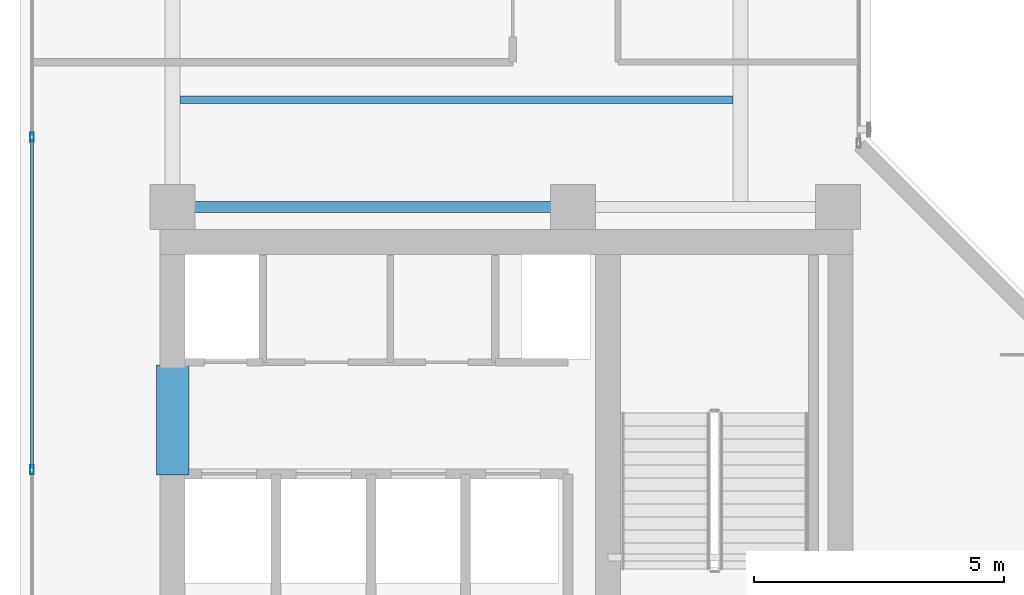
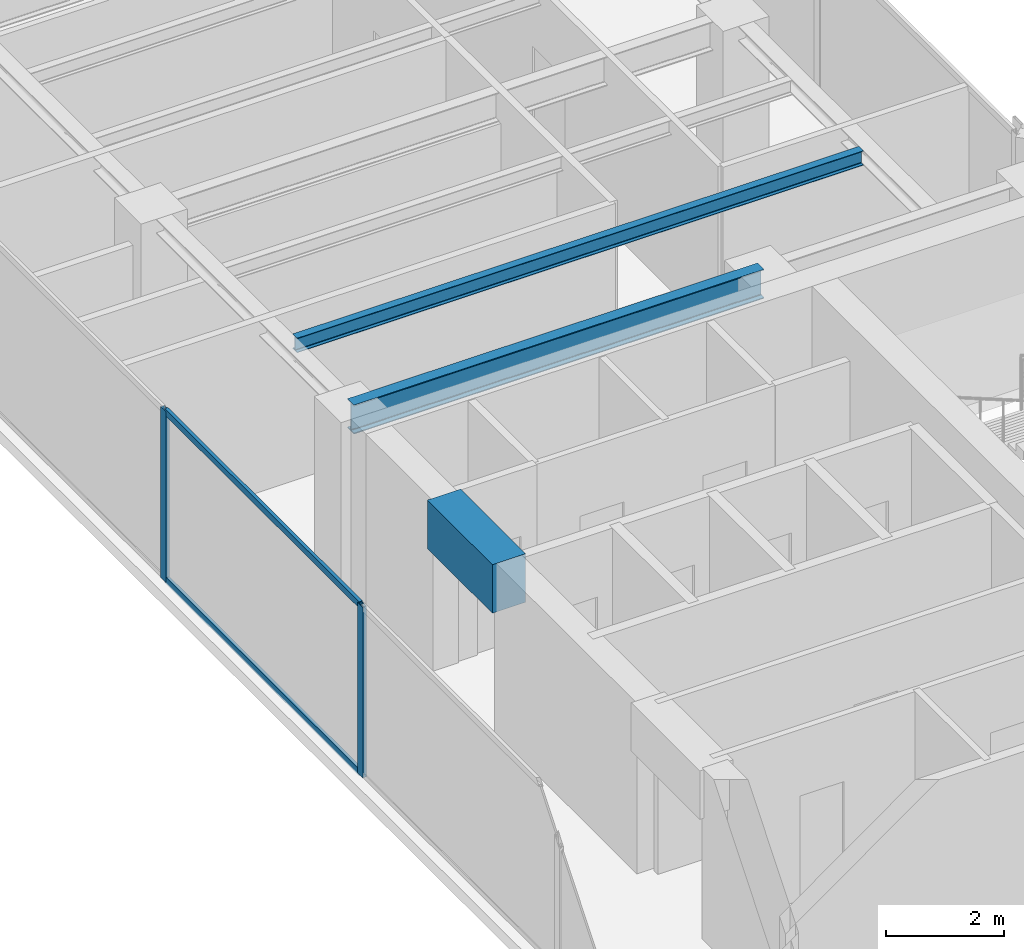
# One storey, part 9 of 32: 4 members, 3 beams, 1 element without a shape of its own.
"""IFC4 building model written with IfcOpenShell, lengths in metres."""

from ifc_helpers import new_model, si_unit, direction, frame, origin, origin_with_axes, origin_2d, place, context, subcontext, project, spatial, rectangle, hollow_rectangle, i_section, extrude, source, transform, mapped, material, layer, layer_set, material_profile, profile_set, type_object, element, aggregate, save


model = new_model("IFC4")

# Units and contexts
model_context = context("Model", 3, precision=1e-05, world=origin(), true_north=direction((0.0, 1.0)))
body_context = subcontext(model_context, "Body", "Model", "MODEL_VIEW")
ifc_project = project(units=[si_unit("LENGTHUNIT", "METRE"), si_unit("AREAUNIT", "SQUARE_METRE"), si_unit("VOLUMEUNIT", "CUBIC_METRE"), si_unit("PLANEANGLEUNIT", "RADIAN"), si_unit("MASSUNIT", "GRAM", prefix="KILO")], contexts=[model_context])

# Site, building, storey
site_placement = place(None, origin())
site = spatial("IfcSite", under=ifc_project, at=site_placement, CompositionType="ELEMENT")
building_placement = place(site_placement, origin())
building = spatial("IfcBuilding", under=site, at=building_placement, Name="Kolvaren Waterfront Exchange", CompositionType="ELEMENT")
storey_placement = place(building_placement, frame((0.0, 0.0, 348.10009765625)))
storey = spatial("IfcBuildingStorey", under=building, at=storey_placement, Name="L89", CompositionType="ELEMENT", Elevation=348.10009765625)

# Beams
ifc_material_1 = material(Name="Steel S355", Category="steel")
ifc_material_profile_1 = material_profile(ifc_material_1, i_section(OverallWidth=0.14990234375, OverallDepth=0.300048828125, WebThickness=0.007080078125, FlangeThickness=0.0107421875, FilletRadius=0.014892578125, at=origin_2d()), Name="IPE300")
ifc_profile_set_1 = profile_set([ifc_material_profile_1], Name="Steel S355")
beam_type_1 = type_object("IfcBeamType", Name="STR-BM-IPE300", PredefinedType="JOIST", material=ifc_profile_set_1)
beam_1_placement = place(storey_placement, frame((7.60205078125, 26.60009765625, 3.369873046875), z_axis=(1.0, 0.0, 0.0), x_axis=(0.0, 1.0, 0.0)))
element("IfcBeam", 1, at=beam_1_placement, inside=storey, type_object=beam_type_1, Name="L89 north-arm composite joist 1", PredefinedType="JOIST", context=body_context, shape_type="SweptSolid", body=[
    extrude(i_section(OverallWidth=0.14990234375, OverallDepth=0.300048828125, WebThickness=0.007080078125, FlangeThickness=0.0107421875, FilletRadius=0.014892578125, at=origin_2d()), origin(), (0.0, 0.0, 1.0), 11.0458984375),
])
ifc_material_profile_2 = material_profile(ifc_material_1, i_section(OverallWidth=0.219970703125, OverallDepth=0.60009765625, WebThickness=0.011962890625, FlangeThickness=0.01904296875, FilletRadius=0.02392578125, at=origin_2d()), Name="IPE600")
ifc_profile_set_2 = profile_set([ifc_material_profile_2], Name="Steel S355")
beam_type_2 = type_object("IfcBeamType", Name="STR-BM-IPE600", PredefinedType="BEAM", material=ifc_profile_set_2)
beam_2_placement = place(storey_placement, frame((7.449951171875, 24.449951171875, 3.219970703125), z_axis=(1.0, 0.0, 0.0), x_axis=(0.0, 1.0, 0.0)))
element("IfcBeam", 2, at=beam_2_placement, inside=storey, type_object=beam_type_2, Name="L89 north-arm girder 1A", PredefinedType="BEAM", context=body_context, shape_type="SweptSolid", body=[
    extrude(i_section(OverallWidth=0.219970703125, OverallDepth=0.60009765625, WebThickness=0.011962890625, FlangeThickness=0.01904296875, FilletRadius=0.02392578125, at=origin_2d()), origin(), (0.0, 0.0, 1.0), 8.0),
])
ifc_material_2 = material(Name="Concrete C60/75", Category="concrete")
ifc_material_profile_3 = material_profile(ifc_material_2, rectangle(XDim=0.64990234375, YDim=1.0, at=origin_2d()), Name="RC-CB-1000x650")
ifc_profile_set_3 = profile_set([ifc_material_profile_3], Name="Concrete C60/75")
beam_type_3 = type_object("IfcBeamType", Name="STR-CB-1000", PredefinedType="SPANDREL", material=ifc_profile_set_3)
beam_3_placement = place(storey_placement, frame((7.449951171875, 19.10009765625, 3.02001953125), z_axis=(0.0, 1.0, 0.0), x_axis=(-1.0, 0.0, 0.0)))
element("IfcBeam", 3, at=beam_3_placement, inside=storey, type_object=beam_type_3, Name="L89 core coupling beam 5", PredefinedType="SPANDREL", context=body_context, shape_type="SweptSolid", body=[
    extrude(rectangle(XDim=0.64990234375, YDim=1.0, at=origin_2d()), origin(), (0.0, 0.0, 1.0), 2.199951171875),
])

# Curtain wall, members
ifc_material_3 = material(Name="Anodised bronze aluminium 6063-T6", Category="aluminium")
ifc_layer = layer(ifc_material_3, 0.219970703125, Name="Anodised bronze aluminium 6063-T6")
ifc_layer_set = layer_set([ifc_layer], Name="Anodised bronze aluminium 6063-T6")
curtain_wall_type = type_object("IfcCurtainWallType", Name="ARC-CW-SYS5", PredefinedType="USERDEFINED", material=ifc_layer_set)
curtain_wall_placement = place(storey_placement, origin())
curtain_wall = element("IfcCurtainWall", 4, at=curtain_wall_placement, inside=storey, type_object=curtain_wall_type, Name="L89 stick curtain wall CW5 (CW-L89-W)", ObjectType="STICK CURTAIN WALL", PredefinedType="USERDEFINED")
ifc_material_profile_4 = material_profile(ifc_material_3, hollow_rectangle(XDim=0.06494140625, YDim=0.1298828125, WallThickness=0.00390625, at=origin_2d()), Name="ALU-TRN-130x65x4")
ifc_profile_set_4 = profile_set([ifc_material_profile_4], Name="Anodised bronze aluminium 6063-T6")
member_type_1 = type_object("IfcMemberType", Name="ARC-CWT-130", PredefinedType="USERDEFINED", material=ifc_profile_set_4)
shared_shape_1 = source(origin_with_axes(), body_context, "Body", "SweptSolid", [
    extrude(hollow_rectangle(XDim=0.06494140625, YDim=0.1298828125, WallThickness=0.00390625, at=origin_2d()), origin(), (0.0, 0.0, 1.0), 6.574951171875),
])
member_1_placement = place(storey_placement, frame((4.639892578125, 19.237548828125, 0.032470703125), z_axis=(0.0, 1.0, 0.0), x_axis=(-1.0, 0.0, 0.0)))
member_1 = element("IfcMember", 5, at=member_1_placement, type_object=member_type_1, Name="CW5 transom 3.1", ObjectType="TRANSOM", PredefinedType="USERDEFINED", context=body_context, shape_type="MappedRepresentation", body=[
    mapped(shared_shape_1, transform((0.0, 0.0, 0.0), x_axis=(1.0, 0.0, 0.0), y_axis=(0.0, 1.0, 0.0), z_axis=(0.0, 0.0, 1.0), scale=1.0)),
])
member_2_placement = place(storey_placement, frame((4.639892578125, 19.237548828125, 3.4873046875), z_axis=(0.0, 1.0, 0.0), x_axis=(-1.0, 0.0, 0.0)))
member_2 = element("IfcMember", 6, at=member_2_placement, type_object=member_type_1, Name="CW5 transom 3.2", ObjectType="TRANSOM", PredefinedType="USERDEFINED", context=body_context, shape_type="MappedRepresentation", body=[
    mapped(shared_shape_1, transform((0.0, 0.0, 0.0), x_axis=(1.0, 0.0, 0.0), y_axis=(0.0, 1.0, 0.0), z_axis=(0.0, 0.0, 1.0), scale=1.0)),
])
ifc_material_profile_5 = material_profile(ifc_material_3, hollow_rectangle(XDim=0.074951171875, YDim=0.179931640625, WallThickness=0.00439453125, at=origin_2d()), Name="ALU-MUL-180x75x4.5")
ifc_profile_set_5 = profile_set([ifc_material_profile_5], Name="Anodised bronze aluminium 6063-T6")
member_type_2 = type_object("IfcMemberType", Name="ARC-CWM-180", PredefinedType="MULLION", material=ifc_profile_set_5)
shared_shape_2 = source(origin_with_axes(), body_context, "Body", "SweptSolid", [
    extrude(hollow_rectangle(XDim=0.074951171875, YDim=0.179931640625, WallThickness=0.00439453125, at=origin_2d()), origin(), (0.0, 0.0, 1.0), 3.52001953125),
])
member_3_placement = place(storey_placement, frame((4.639892578125, 19.199951171875, 0.0), z_axis=(0.0, 0.0, 1.0), x_axis=(-1.0, 0.0, 0.0)))
member_3 = element("IfcMember", 7, at=member_3_placement, type_object=member_type_2, Name="CW5 mullion 3", PredefinedType="MULLION", context=body_context, shape_type="MappedRepresentation", body=[
    mapped(shared_shape_2, transform((0.0, 0.0, 0.0), x_axis=(1.0, 0.0, 0.0), y_axis=(0.0, 1.0, 0.0), z_axis=(0.0, 0.0, 1.0), scale=1.0)),
])
member_4_placement = place(storey_placement, frame((4.639892578125, 25.85009765625, 0.0), z_axis=(0.0, 0.0, 1.0), x_axis=(-1.0, 0.0, 0.0)))
member_4 = element("IfcMember", 8, at=member_4_placement, type_object=member_type_2, Name="CW5 mullion 4", PredefinedType="MULLION", context=body_context, shape_type="MappedRepresentation", body=[
    mapped(shared_shape_2, transform((0.0, 0.0, 0.0), x_axis=(1.0, 0.0, 0.0), y_axis=(0.0, 1.0, 0.0), z_axis=(0.0, 0.0, 1.0), scale=1.0)),
])
aggregate(curtain_wall, [member_3, member_4, member_1, member_2])

save(model, "model.ifc")
